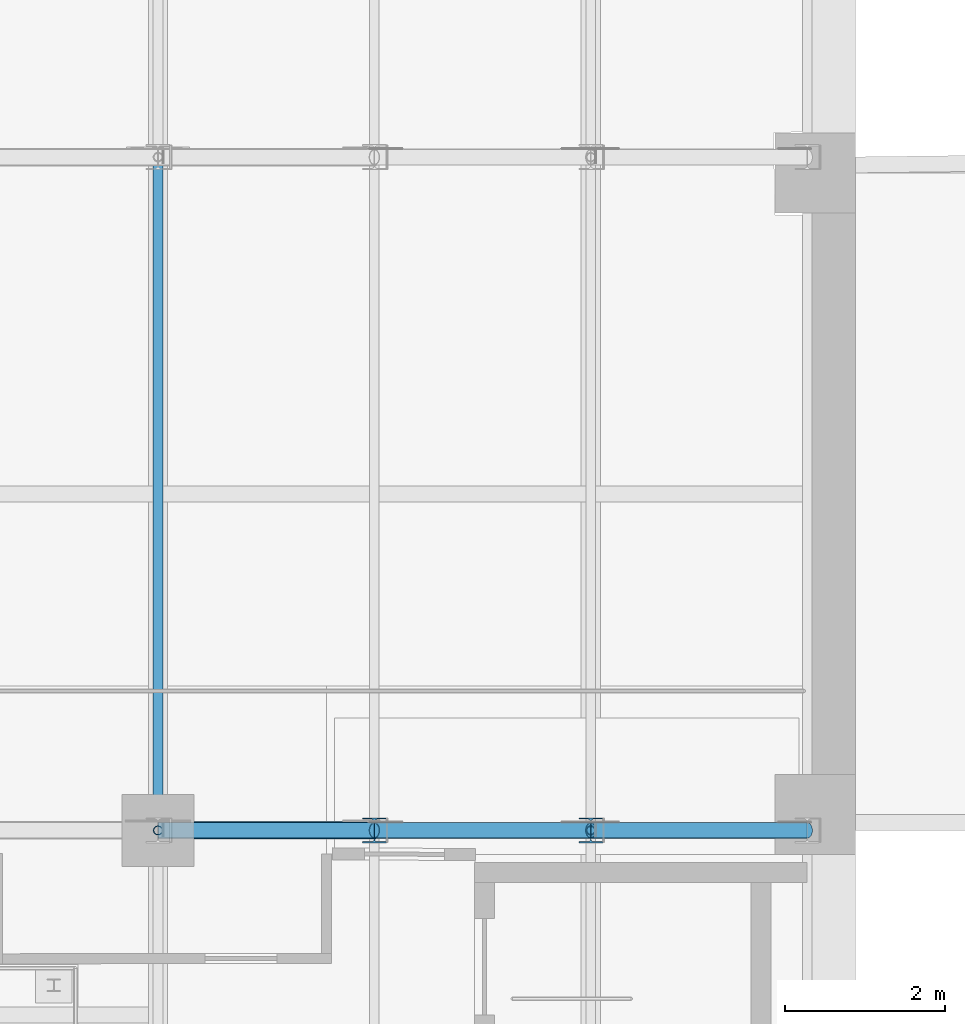
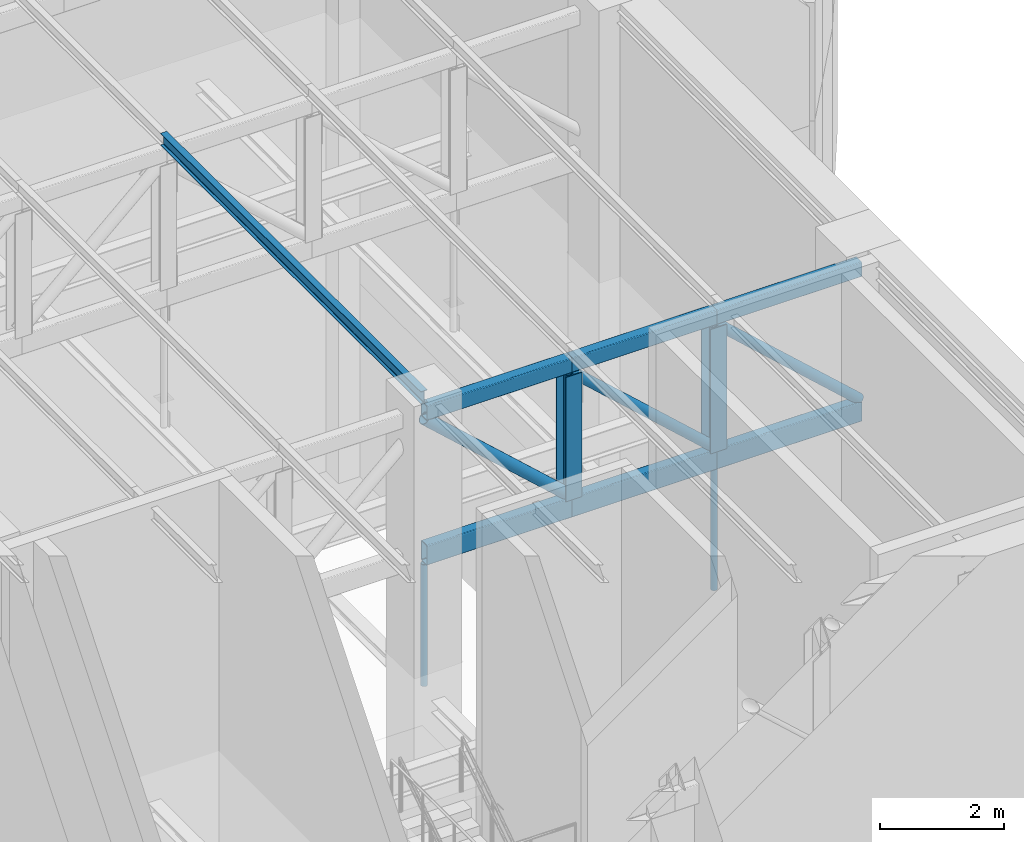
# One storey, part 5 of 68: 8 members, 6 beams.
"""IFC4 building model written with IfcOpenShell, lengths in metres."""

from ifc_helpers import new_model, si_unit, direction, frame, origin, origin_2d, place, context, subcontext, project, spatial, hollow_rectangle, hollow_circle, i_section, extrude, material, material_profile, profile_set, type_object, element, save


model = new_model("IFC4")

# Units and contexts
model_context = context("Model", 3, precision=1e-05, world=origin(), true_north=direction((0.0, 1.0)))
body_context = subcontext(model_context, "Body", "Model", "MODEL_VIEW")
ifc_project = project(units=[si_unit("LENGTHUNIT", "METRE"), si_unit("AREAUNIT", "SQUARE_METRE"), si_unit("VOLUMEUNIT", "CUBIC_METRE"), si_unit("PLANEANGLEUNIT", "RADIAN"), si_unit("MASSUNIT", "GRAM", prefix="KILO")], contexts=[model_context])

# Site, building, storey
site_placement = place(None, origin())
site = spatial("IfcSite", under=ifc_project, at=site_placement, CompositionType="ELEMENT")
building_placement = place(site_placement, origin())
building = spatial("IfcBuilding", under=site, at=building_placement, Name="Larchfold Concert Hall", CompositionType="ELEMENT")
storey_placement = place(building_placement, frame((0.0, 0.0, 28.800048828125)))
storey = spatial("IfcBuildingStorey", under=building, at=storey_placement, Name="L06", CompositionType="ELEMENT", Elevation=28.800048828125)

# Members
ifc_material_1 = material(Name="Steel S355J2H", Category="steel")
ifc_material_profile_1 = material_profile(ifc_material_1, hollow_circle(Radius=0.05712890625, WallThickness=0.00634765625, at=origin_2d()))
ifc_profile_set_1 = profile_set([ifc_material_profile_1], Name="Steel S355J2H")
member_type_1 = type_object("IfcMemberType", Name="Hanger CHS 114.3x6.3", PredefinedType="BRACE", material=ifc_profile_set_1)
for number, where, z_axis, x_axis, name in (
    (1, (42.60009765625, 42.60009765625, 8.5), (0.0, 0.0, 1.0), (1.0, 0.0, 0.0), "Member SG4242"),
    (2, (48.0, 42.60009765625, 8.5), (0.0, 0.0, 1.0), (1.0, 0.0, 0.0), "Member SG4842"),
):
    element("IfcMember", number, at=place(storey_placement, frame(where, z_axis=z_axis, x_axis=x_axis)), inside=storey, type_object=member_type_1, Name=name, PredefinedType="BRACE", context=body_context, shape_type="SweptSolid", body=[
        extrude(hollow_circle(Radius=0.05712890625, WallThickness=0.00634765625, at=origin_2d()), origin(), (0.0, 0.0, 1.0), 2.39990234375),
    ])
ifc_material_2 = material(Name="Steel S355", Category="steel")
ifc_material_profile_2 = material_profile(ifc_material_2, i_section(OverallWidth=0.1201171875, OverallDepth=0.239990234375, WebThickness=0.006103515625, FlangeThickness=0.009765625, FilletRadius=0.014892578125, at=origin_2d()))
ifc_profile_set_2 = profile_set([ifc_material_profile_2], Name="Steel S355")
member_type_2 = type_object("IfcMemberType", Name="Purlin IPE 240", PredefinedType="PURLIN", material=ifc_profile_set_2)
member_1_placement = place(storey_placement, frame((42.60009765625, 42.60009765625, 14.169921875), z_axis=(0.0, 1.0, 0.0), x_axis=(-1.0, 0.0, 0.0)))
element("IfcMember", 3, at=member_1_placement, inside=storey, type_object=member_type_2, Name="Member SP11", PredefinedType="PURLIN", context=body_context, shape_type="SweptSolid", body=[
    extrude(i_section(OverallWidth=0.1201171875, OverallDepth=0.239990234375, WebThickness=0.006103515625, FlangeThickness=0.009765625, FilletRadius=0.014892578125, at=origin_2d()), origin(), (0.0, 0.0, 1.0), 8.39990234375),
])

# Beams
ifc_material_3 = material(Name="Steel S355J2H", Category="steel")
ifc_material_profile_3 = material_profile(ifc_material_3, hollow_rectangle(XDim=0.199951171875, YDim=0.300048828125, WallThickness=0.012451171875, InnerFilletRadius=0.018798828125, OuterFilletRadius=0.03125, at=origin_2d()))
ifc_profile_set_3 = profile_set([ifc_material_profile_3], Name="Steel S355J2H")
beam_type_1 = type_object("IfcBeamType", Name="Truss chord RHS 300x200x12.5", PredefinedType="BEAM", material=ifc_profile_set_3)
for number, where, z_axis, x_axis, name in (
    (4, (42.60009765625, 42.60009765625, 13.89990234375), (1.0, 0.0, 0.0), (0.0, 1.0, 0.0), "Beam SR2T04"),
    (5, (45.300048828125, 42.60009765625, 13.89990234375), (1.0, 0.0, 0.0), (0.0, 1.0, 0.0), "Beam SR2T05"),
    (6, (48.0, 42.60009765625, 13.89990234375), (1.0, 0.0, 0.0), (0.0, 1.0, 0.0), "Beam SR2T06"),
):
    element("IfcBeam", number, at=place(storey_placement, frame(where, z_axis=z_axis, x_axis=x_axis)), inside=storey, type_object=beam_type_1, Name=name, PredefinedType="BEAM", context=body_context, shape_type="SweptSolid", body=[
        extrude(hollow_rectangle(XDim=0.199951171875, YDim=0.300048828125, WallThickness=0.012451171875, InnerFilletRadius=0.018798828125, OuterFilletRadius=0.03125, at=origin_2d()), origin(), (0.0, 0.0, 1.0), 2.699951171875),
    ])
ifc_material_4 = material(Name="Steel S355J2H", Category="steel")
ifc_material_profile_4 = material_profile(ifc_material_4, hollow_rectangle(XDim=0.199951171875, YDim=0.39990234375, WallThickness=0.012451171875, InnerFilletRadius=0.018798828125, OuterFilletRadius=0.03125, at=origin_2d()))
ifc_profile_set_4 = profile_set([ifc_material_profile_4], Name="Steel S355J2H")
beam_type_2 = type_object("IfcBeamType", Name="Truss chord RHS 400x200x12.5", PredefinedType="BEAM", material=ifc_profile_set_4)
for number, where, z_axis, x_axis, name in (
    (7, (42.60009765625, 42.60009765625, 11.099853515625), (1.0, 0.0, 0.0), (0.0, 1.0, 0.0), "Beam SR2B04"),
    (8, (45.300048828125, 42.60009765625, 11.099853515625), (1.0, 0.0, 0.0), (0.0, 1.0, 0.0), "Beam SR2B05"),
    (9, (48.0, 42.60009765625, 11.099853515625), (1.0, 0.0, 0.0), (0.0, 1.0, 0.0), "Beam SR2B06"),
):
    element("IfcBeam", number, at=place(storey_placement, frame(where, z_axis=z_axis, x_axis=x_axis)), inside=storey, type_object=beam_type_2, Name=name, PredefinedType="BEAM", context=body_context, shape_type="SweptSolid", body=[
        extrude(hollow_rectangle(XDim=0.199951171875, YDim=0.39990234375, WallThickness=0.012451171875, InnerFilletRadius=0.018798828125, OuterFilletRadius=0.03125, at=origin_2d()), origin(), (0.0, 0.0, 1.0), 2.699951171875),
    ])

# Members
ifc_material_5 = material(Name="Steel S355", Category="steel")
ifc_material_profile_5 = material_profile(ifc_material_5, i_section(OverallWidth=0.300048828125, OverallDepth=0.31005859375, WebThickness=0.009033203125, FlangeThickness=0.015380859375, FilletRadius=0.027099609375, at=origin_2d()))
ifc_profile_set_5 = profile_set([ifc_material_profile_5], Name="Steel S355")
member_type_3 = type_object("IfcMemberType", Name="Truss post HEA 320", PredefinedType="POST", material=ifc_profile_set_5)
for number, where, z_axis, x_axis, name in (
    (10, (45.300048828125, 42.60009765625, 11.300048828125), (0.0, 0.0, 1.0), (1.0, 0.0, 0.0), "Member SR2V05"),
    (11, (48.0, 42.60009765625, 11.300048828125), (0.0, 0.0, 1.0), (1.0, 0.0, 0.0), "Member SR2V06"),
):
    element("IfcMember", number, at=place(storey_placement, frame(where, z_axis=z_axis, x_axis=x_axis)), inside=storey, type_object=member_type_3, Name=name, PredefinedType="POST", context=body_context, shape_type="SweptSolid", body=[
        extrude(i_section(OverallWidth=0.300048828125, OverallDepth=0.31005859375, WebThickness=0.009033203125, FlangeThickness=0.015380859375, FilletRadius=0.027099609375, at=origin_2d()), origin(), (0.0, 0.0, 1.0), 2.449951171875),
    ])
ifc_material_6 = material(Name="Steel S355J2H", Category="steel")
ifc_material_profile_6 = material_profile(ifc_material_6, hollow_circle(Radius=0.096923828125, WallThickness=0.008056640625, at=origin_2d()))
ifc_profile_set_6 = profile_set([ifc_material_profile_6], Name="Steel S355J2H")
member_type_4 = type_object("IfcMemberType", Name="Truss web CHS 193.7x8", PredefinedType="BRACE", material=ifc_profile_set_6)
for number, where, z_axis, x_axis, name in (
    (12, (45.300048828125, 42.60009765625, 13.75), (0.740560922263, 0.0, -0.671989226414), (0.0, 1.0, 0.0), "Member SR2D05"),
    (13, (48.0, 42.60009765625, 13.75), (0.740560922263, 0.0, -0.671989226414), (0.0, 1.0, 0.0), "Member SR2D06"),
):
    element("IfcMember", number, at=place(storey_placement, frame(where, z_axis=z_axis, x_axis=x_axis)), inside=storey, type_object=member_type_4, Name=name, PredefinedType="BRACE", context=body_context, shape_type="SweptSolid", body=[
        extrude(hollow_circle(Radius=0.096923828125, WallThickness=0.008056640625, at=origin_2d()), origin(), (0.0, 0.0, 1.0), 3.645751953125),
    ])
ifc_material_7 = material(Name="Steel S355J2H", Category="steel")
ifc_material_profile_7 = material_profile(ifc_material_7, hollow_circle(Radius=0.109619140625, WallThickness=0.010009765625, at=origin_2d()))
ifc_profile_set_7 = profile_set([ifc_material_profile_7], Name="Steel S355J2H")
member_type_5 = type_object("IfcMemberType", Name="Truss web CHS 219.1x10", PredefinedType="BRACE", material=ifc_profile_set_7)
member_2_placement = place(storey_placement, frame((42.60009765625, 42.60009765625, 13.75), z_axis=(0.740560922263, 0.0, -0.671989226414), x_axis=(0.0, 1.0, 0.0)))
element("IfcMember", 14, at=member_2_placement, inside=storey, type_object=member_type_5, Name="Member SR2D04", PredefinedType="BRACE", context=body_context, shape_type="SweptSolid", body=[
    extrude(hollow_circle(Radius=0.109619140625, WallThickness=0.010009765625, at=origin_2d()), origin(), (0.0, 0.0, 1.0), 3.645751953125),
])

save(model, "model.ifc")
